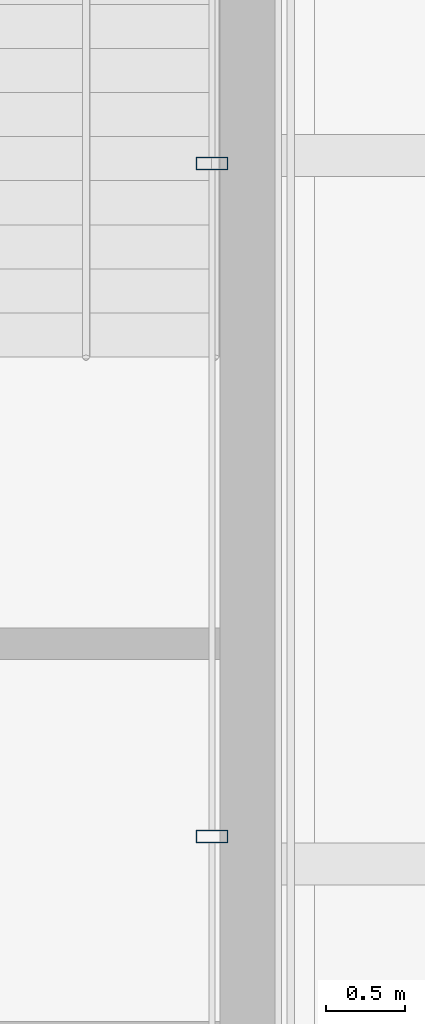
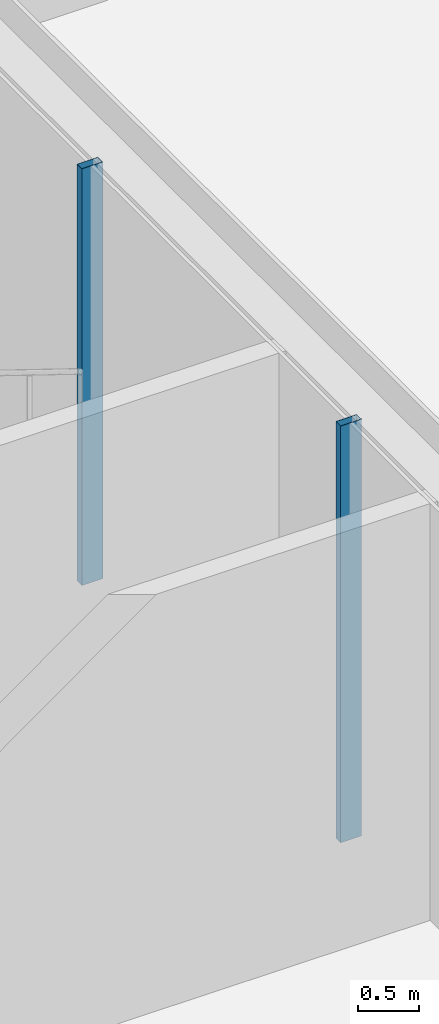
# One storey, part 6 of 11: 2 members, 1 element without a shape of its own.
"""IFC4 building model written with IfcOpenShell, lengths in metres."""

from ifc_helpers import new_model, si_unit, direction, frame, origin, origin_2d, place, context, subcontext, project, spatial, hollow_rectangle, extrude, material, material_profile, profile_set, type_object, element, aggregate, save


model = new_model("IFC4")

# Units and contexts
model_context = context("Model", 3, precision=1e-05, world=origin(), true_north=direction((0.0, 1.0)))
body_context = subcontext(model_context, "Body", "Model", "MODEL_VIEW")
ifc_project = project(units=[si_unit("LENGTHUNIT", "METRE"), si_unit("AREAUNIT", "SQUARE_METRE"), si_unit("VOLUMEUNIT", "CUBIC_METRE"), si_unit("PLANEANGLEUNIT", "RADIAN"), si_unit("MASSUNIT", "GRAM", prefix="KILO")], contexts=[model_context])

# Site, building, storey
site_placement = place(None, origin())
site = spatial("IfcSite", under=ifc_project, at=site_placement, CompositionType="ELEMENT")
building_placement = place(site_placement, origin())
building = spatial("IfcBuilding", under=site, at=building_placement, Name="Altepetl Exchange Towers", CompositionType="ELEMENT")
storey_placement = place(building_placement, frame((0.0, 0.0, 274.60009765625)))
storey = spatial("IfcBuildingStorey", under=building, at=storey_placement, Name="L69 Crown plant", CompositionType="ELEMENT", Elevation=274.60009765625)

# Curtain wall, members
ifc_material_1 = material(Name="Aluminium 6063-T6 glazing", Category="aluminium")
curtain_wall_type = type_object("IfcCurtainWallType", Name="Crown glazing system", PredefinedType="NOTDEFINED", material=ifc_material_1)
curtain_wall_placement = place(storey_placement, origin())
curtain_wall = element("IfcCurtainWall", 1, at=curtain_wall_placement, inside=storey, type_object=curtain_wall_type, Name="CW7 run", PredefinedType="NOTDEFINED")
ifc_material_2 = material(Name="Aluminium 6063-T6", Category="aluminium")
ifc_material_profile = material_profile(ifc_material_2, hollow_rectangle(XDim=0.080078125, YDim=0.199951171875, WallThickness=0.0029296875, at=origin_2d()), Name="Mullion 80x200 hollow aluminium")
ifc_profile_set = profile_set([ifc_material_profile], Name="Aluminium 6063-T6")
member_type = type_object("IfcMemberType", Name="Mullion 80x200 hollow aluminium", PredefinedType="MULLION", material=ifc_profile_set)
member_1_placement = place(storey_placement, frame((58.10009765625, 45.175048828125, 0.0), z_axis=(0.0, 0.0, 1.0), x_axis=(0.0, 1.0, 0.0)))
member_1 = element("IfcMember", 2, at=member_1_placement, type_object=member_type, Name="MU5 mullion", PredefinedType="MULLION", context=body_context, shape_type="SweptSolid", body=[
    extrude(hollow_rectangle(XDim=0.080078125, YDim=0.199951171875, WallThickness=0.0029296875, at=origin_2d()), origin(), (0.0, 0.0, 1.0), 4.199951171875),
])
member_2_placement = place(storey_placement, frame((58.10009765625, 49.449951171875, 0.0), z_axis=(0.0, 0.0, 1.0), x_axis=(0.0, 1.0, 0.0)))
member_2 = element("IfcMember", 3, at=member_2_placement, type_object=member_type, Name="MU5 mullion", PredefinedType="MULLION", context=body_context, shape_type="SweptSolid", body=[
    extrude(hollow_rectangle(XDim=0.080078125, YDim=0.199951171875, WallThickness=0.0029296875, at=origin_2d()), origin(), (0.0, 0.0, 1.0), 4.199951171875),
])
aggregate(curtain_wall, [member_1, member_2])

save(model, "model.ifc")
